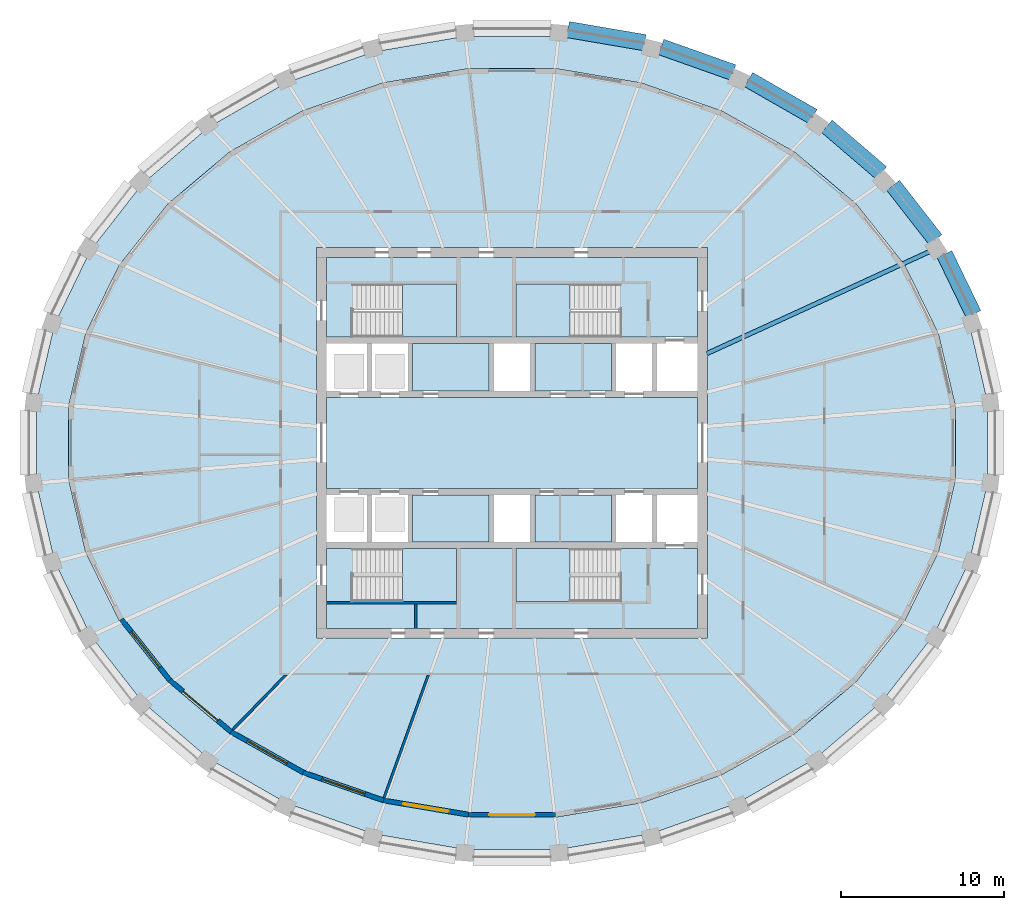
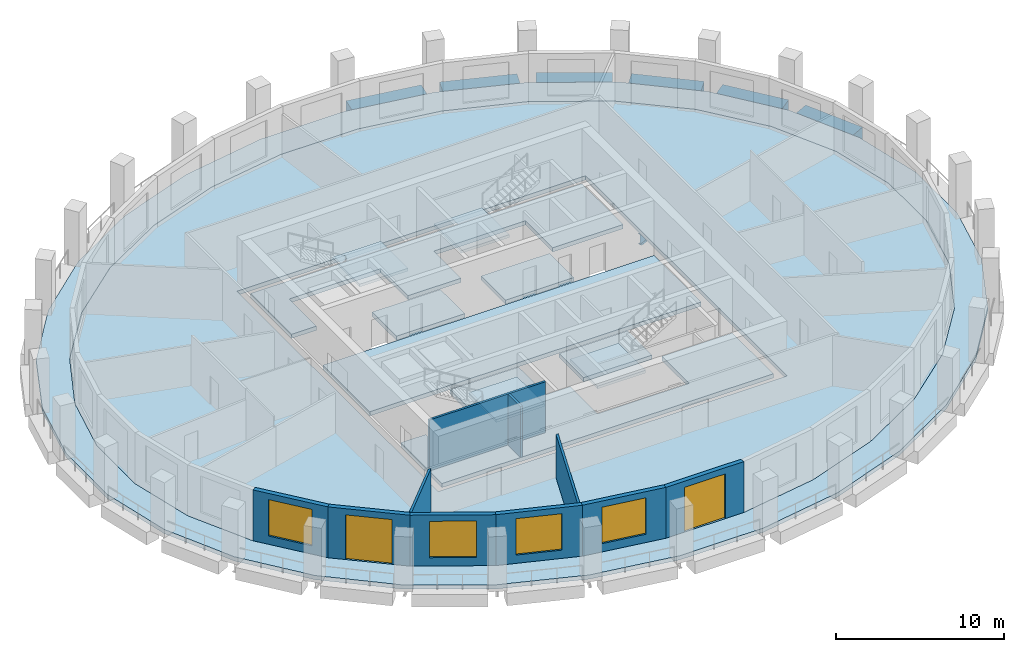
# One storey, part 2 of 10: 13 slabs, 10 walls, 7 beams, 4 windows, 2 doors, 6 openings, 4 elements without a shape of their own.
"""IFC4 building model written with IfcOpenShell, lengths in metres."""

from ifc_helpers import new_model, si_unit, direction, frame, frame_2d, origin, origin_2d, place, context, subcontext, project, spatial, polyline, rectangle, i_section, outline, extrude, material, layer, layer_set, material_profile, profile_set, type_object, element, fill, aggregate, save


model = new_model("IFC4")

# Units and contexts
model_context = context("Model", 3, precision=1e-05, world=origin(), true_north=direction((0.0, 1.0)))
body_context = subcontext(model_context, "Body", "Model", "MODEL_VIEW")
ifc_project = project(units=[si_unit("LENGTHUNIT", "METRE"), si_unit("AREAUNIT", "SQUARE_METRE"), si_unit("VOLUMEUNIT", "CUBIC_METRE"), si_unit("PLANEANGLEUNIT", "RADIAN"), si_unit("MASSUNIT", "GRAM", prefix="KILO")], contexts=[model_context])

# Site, building, storey
site_placement = place(None, origin())
site = spatial("IfcSite", under=ifc_project, at=site_placement, CompositionType="ELEMENT")
building_placement = place(site_placement, origin())
building = spatial("IfcBuilding", under=site, at=building_placement, Name="Halqa Exchange Tower", CompositionType="ELEMENT")
storey_placement = place(building_placement, frame((0.0, 0.0, 276.300048828125)))
storey = spatial("IfcBuildingStorey", under=building, at=storey_placement, Name="L64", CompositionType="ELEMENT", Elevation=276.300048828125)

# Beams
ifc_material_1 = material(Name="Steel S355", Category="steel")
ifc_material_profile_1 = material_profile(ifc_material_1, i_section(OverallWidth=0.264892578125, OverallDepth=0.7529296875, WebThickness=0.01318359375, FlangeThickness=0.01708984375, FilletRadius=0.01708984375, at=origin_2d()), Name="IPE 750x147")
ifc_profile_set_1 = profile_set([ifc_material_profile_1], Name="Steel S355")
beam_type_1 = type_object("IfcBeamType", Name="Floor beam IPE 750x147", PredefinedType="BEAM", material=ifc_profile_set_1)
beam_1_placement = place(storey_placement, frame((11.972412109375, 5.485107421875, -0.676513671875), z_axis=(0.909124745555, 0.416523945314, 0.0), x_axis=(-0.416523945314, 0.909124745555, 0.0)))
element("IfcBeam", 1, at=beam_1_placement, inside=storey, type_object=beam_type_1, Name="Radial beam 3", PredefinedType="BEAM", context=body_context, shape_type="SweptSolid", body=[
    extrude(i_section(OverallWidth=0.264892578125, OverallDepth=0.7529296875, WebThickness=0.01318359375, FlangeThickness=0.01708984375, FilletRadius=0.01708984375, at=origin_2d()), origin(), (0.0, 0.0, 1.0), 15.429443359375),
])
ifc_material_2 = material(Name="Concrete C60/75", Category="concrete")
ifc_material_profile_2 = material_profile(ifc_material_2, rectangle(XDim=1.0, YDim=0.89990234375, at=origin_2d()), Name="1000 x 900")
ifc_profile_set_2 = profile_set([ifc_material_profile_2], Name="Concrete C60/75")
beam_type_2 = type_object("IfcBeamType", Name="RC spandrel beam 1000 x 900 C60/75", PredefinedType="SPANDREL", material=ifc_profile_set_2)
beam_2_placement = place(storey_placement, frame((28.353759765625, 7.904541015625, -0.449951171875), z_axis=(-0.43506886732, 0.90039717941, 0.0), x_axis=(-0.90039717941, -0.43506886732, 0.0)))
element("IfcBeam", 2, at=beam_2_placement, inside=storey, type_object=beam_type_2, Name="Spandrel 2", PredefinedType="SPANDREL", context=body_context, shape_type="SweptSolid", body=[
    extrude(rectangle(XDim=1.0, YDim=0.89990234375, at=origin_2d()), origin(), (0.0, 0.0, 1.0), 4.0986328125),
])
beam_3_placement = place(storey_placement, frame((26.01904296875, 12.482421875, -0.449951171875), z_axis=(-0.614844941027, 0.788648019394, 0.0), x_axis=(-0.788648019394, -0.614844941027, 0.0)))
element("IfcBeam", 3, at=beam_3_placement, inside=storey, type_object=beam_type_2, Name="Spandrel 3", PredefinedType="SPANDREL", context=body_context, shape_type="SweptSolid", body=[
    extrude(rectangle(XDim=1.0, YDim=0.89990234375, at=origin_2d()), origin(), (0.0, 0.0, 1.0), 4.24072265625),
])
beam_4_placement = place(storey_placement, frame((22.690673828125, 16.58251953125, -0.449951171875), z_axis=(-0.759264428132, 0.650782243284, 0.0), x_axis=(-0.650782243284, -0.759264428132, 0.0)))
element("IfcBeam", 4, at=beam_4_placement, inside=storey, type_object=beam_type_2, Name="Spandrel 4", PredefinedType="SPANDREL", context=body_context, shape_type="SweptSolid", body=[
    extrude(rectangle(XDim=1.0, YDim=0.89990234375, at=origin_2d()), origin(), (0.0, 0.0, 1.0), 4.404296875),
])
beam_5_placement = place(storey_placement, frame((18.493896484375, 20.05029296875, -0.449951171875), z_axis=(-0.867728942601, 0.497037706992, 0.0), x_axis=(-0.497037706992, -0.867728942601, 0.0)))
element("IfcBeam", 5, at=beam_5_placement, inside=storey, type_object=beam_type_2, Name="Spandrel 5", PredefinedType="SPANDREL", context=body_context, shape_type="SweptSolid", body=[
    extrude(rectangle(XDim=1.0, YDim=0.89990234375, at=origin_2d()), origin(), (0.0, 0.0, 1.0), 4.562255859375),
])
beam_6_placement = place(storey_placement, frame((13.58642578125, 22.753662109375, -0.449951171875), z_axis=(-0.942370071958, 0.334572335194, 0.0), x_axis=(-0.334572335194, -0.942370071958, 0.0)))
element("IfcBeam", 6, at=beam_6_placement, inside=storey, type_object=beam_type_2, Name="Spandrel 6", PredefinedType="SPANDREL", context=body_context, shape_type="SweptSolid", body=[
    extrude(rectangle(XDim=1.0, YDim=0.89990234375, at=origin_2d()), origin(), (0.0, 0.0, 1.0), 4.692138671875),
])
beam_7_placement = place(storey_placement, frame((8.153564453125, 24.587158203125, -0.449951171875), z_axis=(-0.985773827322, 0.168077248215, 0.0), x_axis=(-0.168077248215, -0.985773827322, 0.0)))
element("IfcBeam", 7, at=beam_7_placement, inside=storey, type_object=beam_type_2, Name="Spandrel 7", PredefinedType="SPANDREL", context=body_context, shape_type="SweptSolid", body=[
    extrude(rectangle(XDim=1.0, YDim=0.89990234375, at=origin_2d()), origin(), (0.0, 0.0, 1.0), 4.77734375),
])

# Slabs
ifc_layer_1 = layer(ifc_material_2, 0.300048828125)
ifc_layer_set_1 = layer_set([ifc_layer_1], Name="Concrete C60/75")
slab_type_1 = type_object("IfcSlabType", Name="Core floor slab 300", PredefinedType="FLOOR", material=ifc_layer_set_1)
slab_1_placement = place(storey_placement, frame((0.0, 0.0, -0.300048828125)))
element("IfcSlab", 8, at=slab_1_placement, inside=storey, type_object=slab_type_1, Name="Core floor slab", PredefinedType="FLOOR", context=body_context, shape_type="SweptSolid", body=[
    extrude(outline(polyline([(-11.39990234375, 2.800048828125), (11.39990234375, 2.800048828125), (11.39990234375, -2.800048828125), (-11.39990234375, -2.800048828125), (-11.39990234375, 2.800048828125)])), origin(), (0.0, 0.0, 1.0), 0.300048828125),
])
slab_2_placement = place(storey_placement, frame((0.0, 0.0, -0.300048828125)))
element("IfcSlab", 9, at=slab_2_placement, inside=storey, type_object=slab_type_1, Name="Core floor slab", PredefinedType="FLOOR", context=body_context, shape_type="SweptSolid", body=[
    extrude(outline(polyline([(-11.39990234375, 11.39990234375), (11.39990234375, 11.39990234375), (11.39990234375, 6.5), (6.550048828125, 6.5), (6.550048828125, 9.75), (0.25, 9.75), (0.25, 6.5), (-3.39990234375, 6.5), (-3.39990234375, 9.75), (-9.699951171875, 9.75), (-9.699951171875, 6.5), (-11.39990234375, 6.5), (-11.39990234375, 11.39990234375)])), origin(), (0.0, 0.0, 1.0), 0.300048828125),
])
slab_3_placement = place(storey_placement, frame((0.0, 0.0, -0.300048828125)))
element("IfcSlab", 10, at=slab_3_placement, inside=storey, type_object=slab_type_1, Name="Core floor slab", PredefinedType="FLOOR", context=body_context, shape_type="SweptSolid", body=[
    extrude(outline(polyline([(-11.39990234375, -6.5), (-9.699951171875, -6.5), (-9.699951171875, -9.75), (-3.39990234375, -9.75), (-3.39990234375, -6.5), (0.25, -6.5), (0.25, -9.75), (6.550048828125, -9.75), (6.550048828125, -6.5), (11.39990234375, -6.5), (11.39990234375, -11.39990234375), (-11.39990234375, -11.39990234375), (-11.39990234375, -6.5)])), origin(), (0.0, 0.0, 1.0), 0.300048828125),
])
slab_4_placement = place(storey_placement, frame((0.0, 0.0, -0.300048828125)))
element("IfcSlab", 11, at=slab_4_placement, inside=storey, type_object=slab_type_1, Name="Core floor slab", PredefinedType="FLOOR", context=body_context, shape_type="SweptSolid", body=[
    extrude(outline(polyline([(-1.39990234375, -3.199951171875), (-1.39990234375, -6.10009765625), (-6.10009765625, -6.10009765625), (-6.10009765625, -3.199951171875), (-1.39990234375, -3.199951171875)])), origin(), (0.0, 0.0, 1.0), 0.300048828125),
])
slab_5_placement = place(storey_placement, frame((0.0, 0.0, -0.300048828125)))
element("IfcSlab", 12, at=slab_5_placement, inside=storey, type_object=slab_type_1, Name="Core floor slab", PredefinedType="FLOOR", context=body_context, shape_type="SweptSolid", body=[
    extrude(outline(polyline([(-1.39990234375, 3.199951171875), (-6.10009765625, 3.199951171875), (-6.10009765625, 6.10009765625), (-1.39990234375, 6.10009765625), (-1.39990234375, 3.199951171875)])), origin(), (0.0, 0.0, 1.0), 0.300048828125),
])
slab_6_placement = place(storey_placement, frame((0.0, 0.0, -0.300048828125)))
element("IfcSlab", 13, at=slab_6_placement, inside=storey, type_object=slab_type_1, Name="Core floor slab", PredefinedType="FLOOR", context=body_context, shape_type="SweptSolid", body=[
    extrude(outline(polyline([(6.10009765625, -3.199951171875), (6.10009765625, -6.10009765625), (1.39990234375, -6.10009765625), (1.39990234375, -3.199951171875), (6.10009765625, -3.199951171875)])), origin(), (0.0, 0.0, 1.0), 0.300048828125),
])
slab_7_placement = place(storey_placement, frame((0.0, 0.0, -0.300048828125)))
element("IfcSlab", 14, at=slab_7_placement, inside=storey, type_object=slab_type_1, Name="Core floor slab", PredefinedType="FLOOR", context=body_context, shape_type="SweptSolid", body=[
    extrude(outline(polyline([(6.10009765625, 6.10009765625), (6.10009765625, 3.199951171875), (1.39990234375, 3.199951171875), (1.39990234375, 6.10009765625), (6.10009765625, 6.10009765625)])), origin(), (0.0, 0.0, 1.0), 0.300048828125),
])
ifc_material_3 = material(Name="Concrete C40/50", Category="concrete")
ifc_layer_2 = layer(ifc_material_3, 0.300048828125)
ifc_layer_set_2 = layer_set([ifc_layer_2], Name="Concrete C40/50")
slab_type_2 = type_object("IfcSlabType", Name="RC floor slab 300", PredefinedType="FLOOR", material=ifc_layer_set_2)
slab_8_placement = place(storey_placement, frame((0.0, 0.0, -0.300048828125)))
element("IfcSlab", 15, at=slab_8_placement, inside=storey, type_object=slab_type_2, Name="Floor slab", PredefinedType="FLOOR", context=body_context, shape_type="SweptSolid", body=[
    extrude(outline(polyline([(27.238037109375, 2.269775390625), (26.18701171875, 6.720703125), (24.127197265625, 10.909912109375), (21.140380859375, 14.675048828125), (17.34375, 17.873291015625), (12.884033203125, 20.383544921875), (7.93212890625, 22.111328125), (2.67822265625, 22.99169921875), (-2.67822265625, 22.99169921875), (-7.93212890625, 22.111328125), (-12.884033203125, 20.383544921875), (-17.34375, 17.873291015625), (-21.140380859375, 14.675048828125), (-24.127197265625, 10.909912109375), (-26.18701171875, 6.720703125), (-27.238037109375, 2.269775390625), (-27.238037109375, -2.269775390625), (-26.18701171875, -6.720703125), (-24.127197265625, -10.909912109375), (-21.140380859375, -14.675048828125), (-17.34375, -17.873291015625), (-12.884033203125, -20.383544921875), (-7.93212890625, -22.111328125), (-2.67822265625, -22.99169921875), (2.67822265625, -22.99169921875), (7.93212890625, -22.111328125), (12.884033203125, -20.383544921875), (17.34375, -17.873291015625), (21.140380859375, -14.675048828125), (24.127197265625, -10.909912109375), (26.18701171875, -6.720703125), (27.238037109375, -2.269775390625), (27.238037109375, 2.269775390625)]), holes=[polyline([(-12.0, -12.0), (12.0, -12.0), (12.0, 12.0), (-12.0, 12.0), (-12.0, -12.0)])]), origin(), (0.0, 0.0, 1.0), 0.300048828125),
])
ifc_layer_3 = layer(ifc_material_3, 0.300048828125)
ifc_layer_set_3 = layer_set([ifc_layer_3], Name="Concrete C40/50")
slab_type_3 = type_object("IfcSlabType", Name="RC loggia slab 300", PredefinedType="FLOOR", material=ifc_layer_set_3)
slab_9_placement = place(storey_placement, frame((0.0, 0.0, -0.300048828125)))
element("IfcSlab", 16, at=slab_9_placement, inside=storey, type_object=slab_type_3, Name="Loggia slab", PredefinedType="FLOOR", context=body_context, shape_type="SweptSolid", body=[
    extrude(outline(polyline([(29.224609375, 2.4521484375), (29.224609375, -2.4521484375), (28.10791015625, -7.264404296875), (25.91455078125, -11.802978515625), (22.72509765625, -15.894287109375), (18.65869140625, -19.3798828125), (13.870361328125, -22.122314453125), (8.543701171875, -24.013427734375), (2.88525390625, -24.978271484375), (-2.88525390625, -24.978271484375), (-8.543701171875, -24.013427734375), (-13.870361328125, -22.122314453125), (-18.65869140625, -19.3798828125), (-22.72509765625, -15.894287109375), (-25.91455078125, -11.802978515625), (-28.10791015625, -7.264404296875), (-29.224609375, -2.4521484375), (-29.224609375, 2.4521484375), (-28.10791015625, 7.264404296875), (-25.91455078125, 11.802978515625), (-22.72509765625, 15.894287109375), (-18.65869140625, 19.3798828125), (-13.870361328125, 22.122314453125), (-8.543701171875, 24.013427734375), (-2.88525390625, 24.978271484375), (2.88525390625, 24.978271484375), (8.543701171875, 24.013427734375), (13.870361328125, 22.122314453125), (18.65869140625, 19.3798828125), (22.72509765625, 15.894287109375), (25.91455078125, 11.802978515625), (28.10791015625, 7.264404296875), (29.224609375, 2.4521484375)]), holes=[polyline([(27.238037109375, 2.269775390625), (26.18701171875, 6.720703125), (24.127197265625, 10.909912109375), (21.140380859375, 14.675048828125), (17.34375, 17.873291015625), (12.884033203125, 20.383544921875), (7.93212890625, 22.111328125), (2.67822265625, 22.99169921875), (-2.67822265625, 22.99169921875), (-7.93212890625, 22.111328125), (-12.884033203125, 20.383544921875), (-17.34375, 17.873291015625), (-21.140380859375, 14.675048828125), (-24.127197265625, 10.909912109375), (-26.18701171875, 6.720703125), (-27.238037109375, 2.269775390625), (-27.238037109375, -2.269775390625), (-26.18701171875, -6.720703125), (-24.127197265625, -10.909912109375), (-21.140380859375, -14.675048828125), (-17.34375, -17.873291015625), (-12.884033203125, -20.383544921875), (-7.93212890625, -22.111328125), (-2.67822265625, -22.99169921875), (2.67822265625, -22.99169921875), (7.93212890625, -22.111328125), (12.884033203125, -20.383544921875), (17.34375, -17.873291015625), (21.140380859375, -14.675048828125), (24.127197265625, -10.909912109375), (26.18701171875, -6.720703125), (27.238037109375, -2.269775390625), (27.238037109375, 2.269775390625)])]), origin(), (0.0, 0.0, 1.0), 0.300048828125),
])

# Stair, slab
ifc_material_4 = material(Name="Concrete C30/37", Category="concrete")
stair_type = type_object("IfcStairType", Name="Exit stair 1500 wide", PredefinedType="HALF_TURN_STAIR", material=ifc_material_4)
stair_1_placement = place(storey_placement, origin())
stair_1 = element("IfcStair", 17, at=stair_1_placement, inside=storey, type_object=stair_type, Name="Exit stair ST1", PredefinedType="HALF_TURN_STAIR")
ifc_layer_4 = layer(ifc_material_4, 0.199951171875)
ifc_layer_set_4 = layer_set([ifc_layer_4], Name="Concrete C30/37")
slab_type_4 = type_object("IfcSlabType", Name="Stair landing 200 slab", PredefinedType="LANDING", material=ifc_layer_set_4)
slab_10_placement = place(storey_placement, frame((0.0, 0.0, 1.800048828125)))
slab_10 = element("IfcSlab", 18, at=slab_10_placement, type_object=slab_type_4, Name="ST1 landing 1", PredefinedType="LANDING", context=body_context, shape_type="SweptSolid", body=[
    extrude(outline(polyline([(-6.719970703125, 6.5), (-3.39990234375, 6.5), (-3.39990234375, 9.75), (-6.719970703125, 9.75), (-6.719970703125, 6.5)])), origin(), (0.0, 0.0, 1.0), 0.199951171875),
])
aggregate(stair_1, [slab_10])

stair_2_placement = place(storey_placement, origin())
stair_2 = element("IfcStair", 19, at=stair_2_placement, inside=storey, type_object=stair_type, Name="Exit stair ST2", PredefinedType="HALF_TURN_STAIR")
slab_11_placement = place(storey_placement, frame((0.0, 0.0, 1.800048828125)))
slab_11 = element("IfcSlab", 20, at=slab_11_placement, type_object=slab_type_4, Name="ST2 landing 1", PredefinedType="LANDING", context=body_context, shape_type="SweptSolid", body=[
    extrude(outline(polyline([(0.25, 6.5), (3.570068359375, 6.5), (3.570068359375, 9.75), (0.25, 9.75), (0.25, 6.5)])), origin(), (0.0, 0.0, 1.0), 0.199951171875),
])
aggregate(stair_2, [slab_11])

stair_3_placement = place(storey_placement, origin())
stair_3 = element("IfcStair", 21, at=stair_3_placement, inside=storey, type_object=stair_type, Name="Exit stair ST3", PredefinedType="HALF_TURN_STAIR")
slab_12_placement = place(storey_placement, frame((0.0, 0.0, 1.800048828125)))
slab_12 = element("IfcSlab", 22, at=slab_12_placement, type_object=slab_type_4, Name="ST3 landing 1", PredefinedType="LANDING", context=body_context, shape_type="SweptSolid", body=[
    extrude(outline(polyline([(-6.719970703125, -9.75), (-3.39990234375, -9.75), (-3.39990234375, -6.5), (-6.719970703125, -6.5), (-6.719970703125, -9.75)])), origin(), (0.0, 0.0, 1.0), 0.199951171875),
])
aggregate(stair_3, [slab_12])

stair_4_placement = place(storey_placement, origin())
stair_4 = element("IfcStair", 23, at=stair_4_placement, inside=storey, type_object=stair_type, Name="Exit stair ST4", PredefinedType="HALF_TURN_STAIR")
slab_13_placement = place(storey_placement, frame((0.0, 0.0, 1.800048828125)))
slab_13 = element("IfcSlab", 24, at=slab_13_placement, type_object=slab_type_4, Name="ST4 landing 1", PredefinedType="LANDING", context=body_context, shape_type="SweptSolid", body=[
    extrude(outline(polyline([(0.25, -9.75), (3.570068359375, -9.75), (3.570068359375, -6.5), (0.25, -6.5), (0.25, -9.75)])), origin(), (0.0, 0.0, 1.0), 0.199951171875),
])
aggregate(stair_4, [slab_13])

# Walls
ifc_material_5 = material(Name="Fire-rated gypsum board")
ifc_layer_5 = layer(ifc_material_5, 0.14990234375)
ifc_layer_set_5 = layer_set([ifc_layer_5], Name="Fire-rated gypsum board")
wall_type_1 = type_object("IfcWallType", Name="Fire partition EI 60 150", PredefinedType="PARTITIONING", material=ifc_layer_set_5)
wall_1_placement = place(storey_placement, frame((-13.852294921875, -14.222900390625, 0.0), z_axis=(0.0, 0.0, 1.0), x_axis=(-0.69820654799, -0.715896372629, 0.0)))
element("IfcWall", 25, at=wall_1_placement, inside=storey, type_object=wall_type_1, Name="L64-PWL-012", PredefinedType="PARTITIONING", context=body_context, shape_type="SweptSolid", body=[
    extrude(outline(polyline([(4.73388671875, -0.074951171875), (4.73388671875, 0.07470703125), (4.73388671875, 0.074951171875), (3.156005859375, 0.074951171875), (1.577880859375, 0.074951171875), (0.0, 0.074951171875), (0.0, 0.07470703125), (0.14599609375, -0.074951171875), (1.67529296875, -0.074951171875), (3.20458984375, -0.074951171875), (4.73388671875, -0.074951171875)])), origin(), (0.0, 0.0, 1.0), 3.699951171875),
])
wall_2_placement = place(storey_placement, frame((-5.1279296875, -14.25, 0.0), z_axis=(0.0, 0.0, 1.0), x_axis=(-0.339369350229, -0.940653200773, 0.0)))
element("IfcWall", 26, at=wall_2_placement, inside=storey, type_object=wall_type_1, Name="L64-PWL-013", PredefinedType="PARTITIONING", context=body_context, shape_type="SweptSolid", body=[
    extrude(outline(polyline([(8.047119140625, -0.074951171875), (8.047119140625, -0.02978515625), (8.046875, 0.00146484375), (8.033447265625, 0.074951171875), (6.4267578125, 0.074951171875), (4.820068359375, 0.074951171875), (3.21337890625, 0.074951171875), (1.606689453125, 0.074951171875), (0.0, 0.074951171875), (0.0, 0.07373046875), (0.0537109375, -0.074951171875), (2.052001953125, -0.074951171875), (4.05029296875, -0.074951171875), (6.048828125, -0.074951171875), (8.047119140625, -0.074951171875)])), origin(), (0.0, 0.0, 1.0), 3.14990234375),
])
ifc_material_6 = material(Name="Gypsum board")
ifc_layer_6 = layer(ifc_material_6, 0.14990234375)
ifc_layer_set_6 = layer_set([ifc_layer_6], Name="Gypsum board")
wall_type_2 = type_object("IfcWallType", Name="Penthouse riser wall 150 gypsum", PredefinedType="PARTITIONING", material=ifc_layer_set_6)
wall_3_placement = place(storey_placement, frame((-5.925048828125, -11.39990234375, 0.0), z_axis=(0.0, 0.0, 1.0), x_axis=(0.0, 1.0, 0.0)))
element("IfcWall", 27, at=wall_3_placement, inside=storey, type_object=wall_type_2, Name="Partition W5.925 S", PredefinedType="PARTITIONING", context=body_context, shape_type="SweptSolid", body=[
    extrude(rectangle(XDim=1.5, YDim=0.14990234375, at=frame_2d((0.75, 0.0))), origin(), (0.0, 0.0, 1.0), 3.699951171875),
])
ifc_layer_7 = layer(ifc_material_4, 0.14990234375)
ifc_layer_set_7 = layer_set([ifc_layer_7], Name="Concrete C30/37")
wall_type_3 = type_object("IfcWallType", Name="RC stair wall 150 C30/37", PredefinedType="SHEAR", material=ifc_layer_set_7)
wall_4_placement = place(storey_placement, frame((-11.39990234375, -9.824951171875, 0.0), z_axis=(0.0, 0.0, 1.0), x_axis=(1.0, 0.0, 0.0)))
element("IfcWall", 28, at=wall_4_placement, inside=storey, type_object=wall_type_3, Name="Stair ST1 north wall S", PredefinedType="SHEAR", context=body_context, shape_type="SweptSolid", body=[
    extrude(rectangle(XDim=8.0, YDim=0.14990234375, at=frame_2d((4.0, 0.0))), origin(), (0.0, 0.0, 1.0), 3.699951171875),
])

# Wall, opening, window
ifc_material_7 = material(Name="Limestone cladding", Category="masonry")
ifc_layer_8 = layer(ifc_material_7, 0.0400390625)
ifc_material_8 = material(Name="Ventilated cavity")
ifc_layer_9 = layer(ifc_material_8, 0.030029296875, ventilated=True)
ifc_material_9 = material(Name="Mineral wool insulation")
ifc_layer_10 = layer(ifc_material_9, 0.10009765625)
ifc_layer_11 = layer(ifc_material_4, 0.10009765625)
ifc_material_10 = material(Name="Internal plaster")
ifc_layer_12 = layer(ifc_material_10, 0.030029296875)
ifc_layer_set_8 = layer_set([ifc_layer_8, ifc_layer_9, ifc_layer_10, ifc_layer_11, ifc_layer_12], Name="Stone-faced insulated wall 300")
wall_type_4 = type_object("IfcWallType", Name="Stone-faced insulated wall 300", PredefinedType="STANDARD", material=ifc_layer_set_8)
wall_5_placement = place(storey_placement, frame((-23.999755859375, -10.8291015625, 0.0), z_axis=(0.0, 0.0, 1.0), x_axis=(0.621434755851, -0.783465917715, 0.0)))
wall_5 = element("IfcWall", 29, at=wall_5_placement, inside=storey, type_object=wall_type_4, Name="Glass-line wall 19", PredefinedType="STANDARD", context=body_context, shape_type="SweptSolid", body=[
    extrude(outline(polyline([(-0.01611328125, -0.14990234375), (4.7900390625, -0.14990234375), (4.759765625, 0.14990234375), (0.01611328125, 0.14990234375), (-0.01611328125, -0.14990234375)])), origin(), (0.0, 0.0, 1.0), 3.699951171875),
])
opening_1_placement = place(wall_5_placement, frame((0.9873046875, 0.0, 0.60009765625)))
opening_1 = element("IfcOpeningElement", 30, at=opening_1_placement, cuts=wall_5, Name="Opening W-F4-19", PredefinedType="OPENING", context=body_context, shape_type="SweptSolid", body=[
    extrude(rectangle(XDim=2.800048828125, YDim=2.64990234375, at=frame_2d((1.39990234375, 1.324951171875))), frame((0.0, 0.162109375, 0.0), z_axis=(0.0, -1.0, 0.0), x_axis=(1.0, 0.0, 0.0)), (0.0, 0.0, 1.0), 0.323974609375),
])
ifc_material_11 = material(Name="Clear low-emissivity glass in aluminium frame", Category="aluminium")
window_type = type_object("IfcWindowType", Name="Fixed clear glazed window 2800 x 2650", PartitioningType="DOUBLE_PANEL_VERTICAL", PredefinedType="WINDOW", material=ifc_material_11)
window_1_placement = place(opening_1_placement, origin())
window_1 = element("IfcWindow", 31, at=window_1_placement, inside=storey, type_object=window_type, Name="Window 4", OverallHeight=2.64990234375, OverallWidth=2.800048828125, PartitioningType="DOUBLE_PANEL_VERTICAL", PredefinedType="WINDOW", context=body_context, shape_type="SweptSolid", body=[
    extrude(rectangle(XDim=2.800048828125, YDim=2.64990234375, at=frame_2d((1.39990234375, 1.324951171875))), frame((0.0, 0.030029296875, 0.0), z_axis=(0.0, -1.0, 0.0), x_axis=(1.0, 0.0, 0.0)), (0.0, 0.0, 1.0), 0.06005859375),
])
fill(opening_1, window_1)

# Wall, opening, door
wall_6_placement = place(storey_placement, frame((-21.032470703125, -14.570068359375, 0.0), z_axis=(0.0, 0.0, 1.0), x_axis=(0.764832940795, -0.644228664897, 0.0)))
wall_6 = element("IfcWall", 32, at=wall_6_placement, inside=storey, type_object=wall_type_4, Name="Glass-line wall 20", PredefinedType="STANDARD", context=body_context, shape_type="SweptSolid", body=[
    extrude(outline(polyline([(-0.01513671875, -0.14990234375), (4.949462890625, -0.14990234375), (4.921142578125, 0.14990234375), (0.01513671875, 0.14990234375), (-0.01513671875, -0.14990234375)])), origin(), (0.0, 0.0, 1.0), 3.699951171875),
])
opening_2_placement = place(wall_6_placement, frame((1.067626953125, 0.0, 0.0)))
opening_2 = element("IfcOpeningElement", 33, at=opening_2_placement, cuts=wall_6, Name="Opening LG-F4-05", PredefinedType="OPENING", context=body_context, shape_type="SweptSolid", body=[
    extrude(rectangle(XDim=2.800048828125, YDim=3.25, at=frame_2d((1.39990234375, 1.625))), frame((0.0, 0.162109375, 0.0), z_axis=(0.0, -1.0, 0.0), x_axis=(1.0, 0.0, 0.0)), (0.0, 0.0, 1.0), 0.323974609375),
])
door_type = type_object("IfcDoorType", Name="Glazed sliding loggia door 2800 x 3250", OperationType="DOUBLE_DOOR_SLIDING", PredefinedType="DOOR", material=ifc_material_11)
door_1_placement = place(opening_2_placement, origin())
door_1 = element("IfcDoor", 34, at=door_1_placement, inside=storey, type_object=door_type, Name="Loggia door 5", OperationType="DOUBLE_DOOR_SLIDING", OverallHeight=3.25, OverallWidth=2.800048828125, PredefinedType="DOOR", context=body_context, shape_type="SweptSolid", body=[
    extrude(rectangle(XDim=2.800048828125, YDim=3.25, at=frame_2d((1.39990234375, 1.625))), frame((0.0, 0.02490234375, 0.0), z_axis=(0.0, -1.0, 0.0), x_axis=(1.0, 0.0, 0.0)), (0.0, 0.0, 1.0), 0.050048828125),
])
fill(opening_2, door_1)

# Wall, opening, window
wall_7_placement = place(storey_placement, frame((-17.2578125, -17.74951171875, 0.0), z_axis=(0.0, 0.0, 1.0), x_axis=(0.871433320402, -0.490513983585, 0.0)))
wall_7 = element("IfcWall", 35, at=wall_7_placement, inside=storey, type_object=wall_type_4, Name="Glass-line wall 21", PredefinedType="STANDARD", context=body_context, shape_type="SweptSolid", body=[
    extrude(outline(polyline([(-0.01416015625, -0.14990234375), (5.103759765625, -0.14990234375), (5.076904296875, 0.14990234375), (0.01416015625, 0.14990234375), (-0.01416015625, -0.14990234375)])), origin(), (0.0, 0.0, 1.0), 3.699951171875),
])
opening_3_placement = place(wall_7_placement, frame((1.14501953125, 0.0, 0.60009765625)))
opening_3 = element("IfcOpeningElement", 36, at=opening_3_placement, cuts=wall_7, Name="Opening W-F4-21", PredefinedType="OPENING", context=body_context, shape_type="SweptSolid", body=[
    extrude(rectangle(XDim=2.800048828125, YDim=2.64990234375, at=frame_2d((1.39990234375, 1.324951171875))), frame((0.0, 0.162109375, 0.0), z_axis=(0.0, -1.0, 0.0), x_axis=(1.0, 0.0, 0.0)), (0.0, 0.0, 1.0), 0.323974609375),
])
window_2_placement = place(opening_3_placement, origin())
window_2 = element("IfcWindow", 37, at=window_2_placement, inside=storey, type_object=window_type, Name="Window 4", OverallHeight=2.64990234375, OverallWidth=2.800048828125, PartitioningType="DOUBLE_PANEL_VERTICAL", PredefinedType="WINDOW", context=body_context, shape_type="SweptSolid", body=[
    extrude(rectangle(XDim=2.800048828125, YDim=2.64990234375, at=frame_2d((1.39990234375, 1.324951171875))), frame((0.0, 0.030029296875, 0.0), z_axis=(0.0, -1.0, 0.0), x_axis=(1.0, 0.0, 0.0)), (0.0, 0.0, 1.0), 0.06005859375),
])
fill(opening_3, window_2)

wall_8_placement = place(storey_placement, frame((-12.822021484375, -20.246337890625, 0.0), z_axis=(0.0, 0.0, 1.0), x_axis=(0.9441693858, -0.329460423904, 0.0)))
wall_8 = element("IfcWall", 38, at=wall_8_placement, inside=storey, type_object=wall_type_4, Name="Glass-line wall 22", PredefinedType="STANDARD", context=body_context, shape_type="SweptSolid", body=[
    extrude(outline(polyline([(-0.013427734375, -0.14990234375), (5.23095703125, -0.14990234375), (5.20556640625, 0.14990234375), (0.013427734375, 0.14990234375), (-0.013427734375, -0.14990234375)])), origin(), (0.0, 0.0, 1.0), 3.699951171875),
])
opening_4_placement = place(wall_8_placement, frame((1.209228515625, 0.0, 0.60009765625)))
opening_4 = element("IfcOpeningElement", 39, at=opening_4_placement, cuts=wall_8, Name="Opening W-F4-22", PredefinedType="OPENING", context=body_context, shape_type="SweptSolid", body=[
    extrude(rectangle(XDim=2.800048828125, YDim=2.64990234375, at=frame_2d((1.39990234375, 1.324951171875))), frame((0.0, 0.162109375, 0.0), z_axis=(0.0, -1.0, 0.0), x_axis=(1.0, 0.0, 0.0)), (0.0, 0.0, 1.0), 0.323974609375),
])
window_3_placement = place(opening_4_placement, origin())
window_3 = element("IfcWindow", 40, at=window_3_placement, inside=storey, type_object=window_type, Name="Window 4", OverallHeight=2.64990234375, OverallWidth=2.800048828125, PartitioningType="DOUBLE_PANEL_VERTICAL", PredefinedType="WINDOW", context=body_context, shape_type="SweptSolid", body=[
    extrude(rectangle(XDim=2.800048828125, YDim=2.64990234375, at=frame_2d((1.39990234375, 1.324951171875))), frame((0.0, 0.030029296875, 0.0), z_axis=(0.0, -1.0, 0.0), x_axis=(1.0, 0.0, 0.0)), (0.0, 0.0, 1.0), 0.06005859375),
])
fill(opening_4, window_3)

wall_9_placement = place(storey_placement, frame((-7.89501953125, -21.965576171875, 0.0), z_axis=(0.0, 0.0, 1.0), x_axis=(0.986250435411, -0.165257612993, 0.0)))
wall_9 = element("IfcWall", 41, at=wall_9_placement, inside=storey, type_object=wall_type_4, Name="Glass-line wall 23", PredefinedType="STANDARD", context=body_context, shape_type="SweptSolid", body=[
    extrude(outline(polyline([(-0.0126953125, -0.14990234375), (5.314697265625, -0.14990234375), (5.289794921875, 0.14990234375), (0.0126953125, 0.14990234375), (-0.0126953125, -0.14990234375)])), origin(), (0.0, 0.0, 1.0), 3.699951171875),
])
opening_5_placement = place(wall_9_placement, frame((1.2509765625, 0.0, 0.60009765625)))
opening_5 = element("IfcOpeningElement", 42, at=opening_5_placement, cuts=wall_9, Name="Opening W-F4-23", PredefinedType="OPENING", context=body_context, shape_type="SweptSolid", body=[
    extrude(rectangle(XDim=2.800048828125, YDim=2.64990234375, at=frame_2d((1.39990234375, 1.324951171875))), frame((0.0, 0.162109375, 0.0), z_axis=(0.0, -1.0, 0.0), x_axis=(1.0, 0.0, 0.0)), (0.0, 0.0, 1.0), 0.323974609375),
])
window_4_placement = place(opening_5_placement, origin())
window_4 = element("IfcWindow", 43, at=window_4_placement, inside=storey, type_object=window_type, Name="Window 4", OverallHeight=2.64990234375, OverallWidth=2.800048828125, PartitioningType="DOUBLE_PANEL_VERTICAL", PredefinedType="WINDOW", context=body_context, shape_type="SweptSolid", body=[
    extrude(rectangle(XDim=2.800048828125, YDim=2.64990234375, at=frame_2d((1.39990234375, 1.324951171875))), frame((0.0, 0.030029296875, 0.0), z_axis=(0.0, -1.0, 0.0), x_axis=(1.0, 0.0, 0.0)), (0.0, 0.0, 1.0), 0.06005859375),
])
fill(opening_5, window_4)

# Wall, opening, door
wall_10_placement = place(storey_placement, frame((-2.665771484375, -22.841796875, 0.0), z_axis=(0.0, 0.0, 1.0), x_axis=(1.0, 0.0, 0.0)))
wall_10 = element("IfcWall", 44, at=wall_10_placement, inside=storey, type_object=wall_type_4, Name="Glass-line wall 24", PredefinedType="STANDARD", context=body_context, shape_type="SweptSolid", body=[
    extrude(outline(polyline([(-0.012451171875, -0.14990234375), (5.343994140625, -0.14990234375), (5.319091796875, 0.14990234375), (0.012451171875, 0.14990234375), (-0.012451171875, -0.14990234375)])), origin(), (0.0, 0.0, 1.0), 3.699951171875),
])
opening_6_placement = place(wall_10_placement, frame((1.265625, 0.0, 0.0)))
opening_6 = element("IfcOpeningElement", 45, at=opening_6_placement, cuts=wall_10, Name="Opening LG-F4-06", PredefinedType="OPENING", context=body_context, shape_type="SweptSolid", body=[
    extrude(rectangle(XDim=2.800048828125, YDim=3.25, at=frame_2d((1.39990234375, 1.625))), frame((0.0, 0.162109375, 0.0), z_axis=(0.0, -1.0, 0.0), x_axis=(1.0, 0.0, 0.0)), (0.0, 0.0, 1.0), 0.323974609375),
])
door_2_placement = place(opening_6_placement, origin())
door_2 = element("IfcDoor", 46, at=door_2_placement, inside=storey, type_object=door_type, Name="Loggia door 6", OperationType="DOUBLE_DOOR_SLIDING", OverallHeight=3.25, OverallWidth=2.800048828125, PredefinedType="DOOR", context=body_context, shape_type="SweptSolid", body=[
    extrude(rectangle(XDim=2.800048828125, YDim=3.25, at=frame_2d((1.39990234375, 1.625))), frame((0.0, 0.02490234375, 0.0), z_axis=(0.0, -1.0, 0.0), x_axis=(1.0, 0.0, 0.0)), (0.0, 0.0, 1.0), 0.050048828125),
])
fill(opening_6, door_2)

save(model, "model.ifc")
